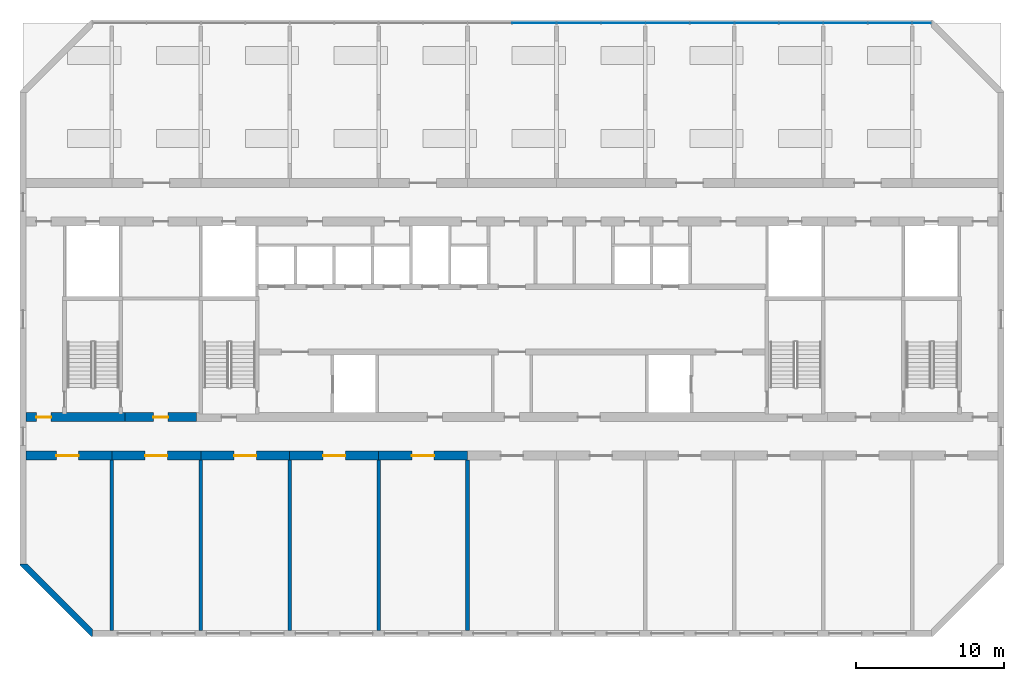
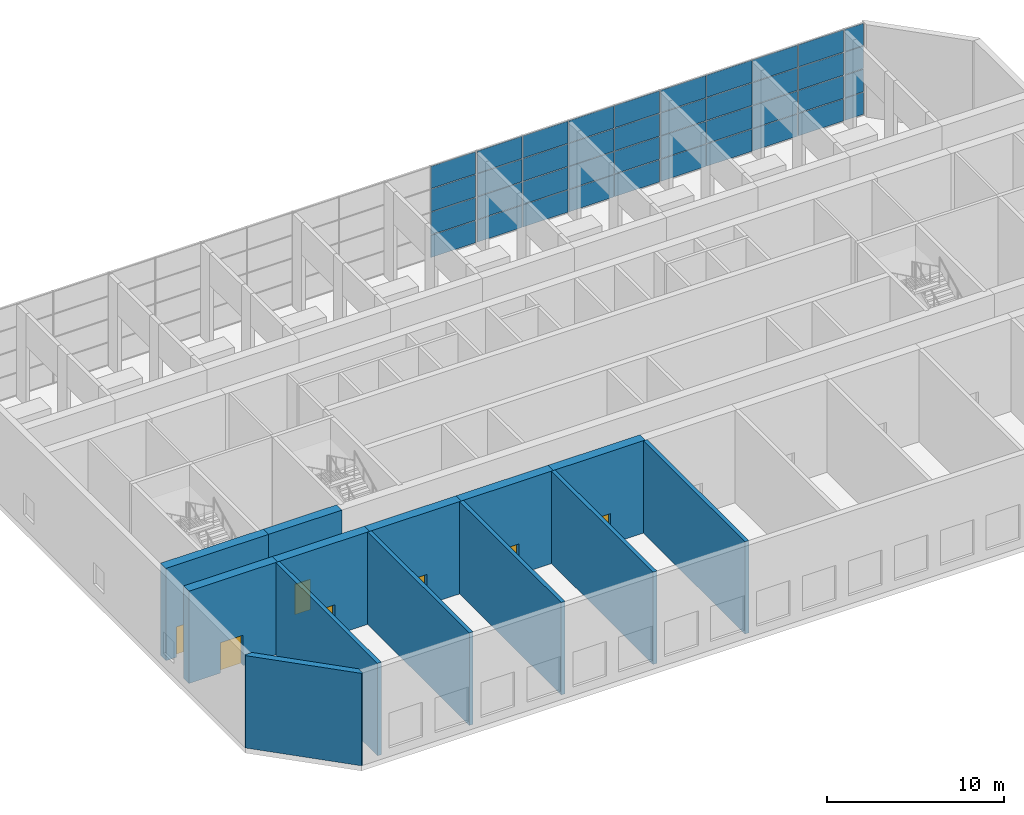
# One storey, part 5 of 13: 40 plates, 13 walls, 7 doors, 7 openings, 4 elements without a shape of their own.
"""IFC4 building model written with IfcOpenShell, lengths in metres."""

from ifc_helpers import new_model, si_unit, direction, frame, frame_2d, origin, origin_2d, place, context, subcontext, project, spatial, polyline, rectangle, outline, extrude, material, layer, layer_set, type_object, element, fill, aggregate, save


model = new_model("IFC4")

# Units and contexts
model_context = context("Model", 3, precision=1e-05, world=origin(), true_north=direction((0.0, 1.0)))
body_context = subcontext(model_context, "Body", "Model", "MODEL_VIEW")
ifc_project = project(units=[si_unit("LENGTHUNIT", "METRE"), si_unit("AREAUNIT", "SQUARE_METRE"), si_unit("VOLUMEUNIT", "CUBIC_METRE"), si_unit("PLANEANGLEUNIT", "RADIAN"), si_unit("MASSUNIT", "GRAM", prefix="KILO")], contexts=[model_context])

# Site, building, storey
site_placement = place(None, origin())
site = spatial("IfcSite", under=ifc_project, at=site_placement, CompositionType="ELEMENT")
building_placement = place(site_placement, origin())
building = spatial("IfcBuilding", under=site, at=building_placement, Name="Poui Terraces", CompositionType="ELEMENT")
storey_placement = place(building_placement, frame((0.0, 0.0, 214.800048828125)))
storey = spatial("IfcBuildingStorey", under=building, at=storey_placement, Name="L60", CompositionType="ELEMENT", Elevation=214.800048828125)

# Curtain wall, plates
ifc_material_1 = material(Name="Clear glass", Category="glass")
ifc_layer_1 = layer(ifc_material_1, 0.159912109375)
ifc_layer_set_1 = layer_set([ifc_layer_1], Name="Clear glass")
curtain_wall_type = type_object("IfcCurtainWallType", Name="CURTAIN WALL CW-D SKY GARDEN GLAZING", PredefinedType="NOTDEFINED", material=ifc_layer_set_1)
curtain_wall_1_placement = place(storey_placement, origin())
curtain_wall_1 = element("IfcCurtainWall", 1, at=curtain_wall_1_placement, inside=storey, type_object=curtain_wall_type, Name="CW-D SKY GARDEN GLAZING", PredefinedType="NOTDEFINED")
ifc_layer_2 = layer(ifc_material_1, 0.052001953125)
ifc_layer_set_2 = layer_set([ifc_layer_2], Name="Clear glass")
plate_type = type_object("IfcPlateType", Name="CW-D GLASS PANEL 52", PredefinedType="CURTAIN_PANEL", material=ifc_layer_set_2)
plate_1_placement = place(storey_placement, frame((52.487548828125, 41.199951171875, 0.050048828125), z_axis=(0.0, 0.0, 1.0), x_axis=(-1.0, 0.0, 0.0)))
plate_1 = element("IfcPlate", 2, at=plate_1_placement, type_object=plate_type, Name="CW-D panel 1.1", PredefinedType="CURTAIN_PANEL", context=body_context, shape_type="SweptSolid", body=[
    extrude(rectangle(XDim=2.925048828125, YDim=0.052001953125, at=origin_2d()), origin(), (0.0, 0.0, 1.0), 1.52001953125),
])
plate_2_placement = place(storey_placement, frame((52.487548828125, 41.199951171875, 1.619873046875), z_axis=(0.0, 0.0, 1.0), x_axis=(-1.0, 0.0, 0.0)))
plate_2 = element("IfcPlate", 3, at=plate_2_placement, type_object=plate_type, Name="CW-D panel 1.2", PredefinedType="CURTAIN_PANEL", context=body_context, shape_type="SweptSolid", body=[
    extrude(rectangle(XDim=2.925048828125, YDim=0.052001953125, at=origin_2d()), origin(), (0.0, 0.0, 1.0), 1.544921875),
])
plate_3_placement = place(storey_placement, frame((52.487548828125, 41.199951171875, 3.215087890625), z_axis=(0.0, 0.0, 1.0), x_axis=(-1.0, 0.0, 0.0)))
plate_3 = element("IfcPlate", 4, at=plate_3_placement, type_object=plate_type, Name="CW-D panel 1.3", PredefinedType="CURTAIN_PANEL", context=body_context, shape_type="SweptSolid", body=[
    extrude(rectangle(XDim=2.925048828125, YDim=0.052001953125, at=origin_2d()), origin(), (0.0, 0.0, 1.0), 1.544921875),
])
plate_4_placement = place(storey_placement, frame((52.487548828125, 41.199951171875, 4.81005859375), z_axis=(0.0, 0.0, 1.0), x_axis=(-1.0, 0.0, 0.0)))
plate_4 = element("IfcPlate", 5, at=plate_4_placement, type_object=plate_type, Name="CW-D panel 1.4", PredefinedType="CURTAIN_PANEL", context=body_context, shape_type="SweptSolid", body=[
    extrude(rectangle(XDim=2.925048828125, YDim=0.052001953125, at=origin_2d()), origin(), (0.0, 0.0, 1.0), 1.52001953125),
])
aggregate(curtain_wall_1, [plate_1, plate_2, plate_3, plate_4])

curtain_wall_2_placement = place(storey_placement, origin())
curtain_wall_2 = element("IfcCurtainWall", 6, at=curtain_wall_2_placement, inside=storey, type_object=curtain_wall_type, Name="CW-D SKY GARDEN GLAZING", PredefinedType="NOTDEFINED")
plate_5_placement = place(storey_placement, frame((64.487548828125, 41.199951171875, 0.050048828125), z_axis=(0.0, 0.0, 1.0), x_axis=(-1.0, 0.0, 0.0)))
plate_5 = element("IfcPlate", 7, at=plate_5_placement, type_object=plate_type, Name="CW-D panel 1.1", PredefinedType="CURTAIN_PANEL", context=body_context, shape_type="SweptSolid", body=[
    extrude(rectangle(XDim=2.925048828125, YDim=0.052001953125, at=origin_2d()), origin(), (0.0, 0.0, 1.0), 1.52001953125),
])
plate_6_placement = place(storey_placement, frame((64.487548828125, 41.199951171875, 1.619873046875), z_axis=(0.0, 0.0, 1.0), x_axis=(-1.0, 0.0, 0.0)))
plate_6 = element("IfcPlate", 8, at=plate_6_placement, type_object=plate_type, Name="CW-D panel 1.2", PredefinedType="CURTAIN_PANEL", context=body_context, shape_type="SweptSolid", body=[
    extrude(rectangle(XDim=2.925048828125, YDim=0.052001953125, at=origin_2d()), origin(), (0.0, 0.0, 1.0), 1.544921875),
])
plate_7_placement = place(storey_placement, frame((64.487548828125, 41.199951171875, 3.215087890625), z_axis=(0.0, 0.0, 1.0), x_axis=(-1.0, 0.0, 0.0)))
plate_7 = element("IfcPlate", 9, at=plate_7_placement, type_object=plate_type, Name="CW-D panel 1.3", PredefinedType="CURTAIN_PANEL", context=body_context, shape_type="SweptSolid", body=[
    extrude(rectangle(XDim=2.925048828125, YDim=0.052001953125, at=origin_2d()), origin(), (0.0, 0.0, 1.0), 1.544921875),
])
plate_8_placement = place(storey_placement, frame((64.487548828125, 41.199951171875, 4.81005859375), z_axis=(0.0, 0.0, 1.0), x_axis=(-1.0, 0.0, 0.0)))
plate_8 = element("IfcPlate", 10, at=plate_8_placement, type_object=plate_type, Name="CW-D panel 1.4", PredefinedType="CURTAIN_PANEL", context=body_context, shape_type="SweptSolid", body=[
    extrude(rectangle(XDim=2.925048828125, YDim=0.052001953125, at=origin_2d()), origin(), (0.0, 0.0, 1.0), 1.52001953125),
])
plate_9_placement = place(storey_placement, frame((61.5, 41.199951171875, 0.050048828125), z_axis=(0.0, 0.0, 1.0), x_axis=(-1.0, 0.0, 0.0)))
plate_9 = element("IfcPlate", 11, at=plate_9_placement, type_object=plate_type, Name="CW-D panel 2.1", PredefinedType="CURTAIN_PANEL", context=body_context, shape_type="SweptSolid", body=[
    extrude(rectangle(XDim=2.949951171875, YDim=0.052001953125, at=origin_2d()), origin(), (0.0, 0.0, 1.0), 1.52001953125),
])
plate_10_placement = place(storey_placement, frame((61.5, 41.199951171875, 1.619873046875), z_axis=(0.0, 0.0, 1.0), x_axis=(-1.0, 0.0, 0.0)))
plate_10 = element("IfcPlate", 12, at=plate_10_placement, type_object=plate_type, Name="CW-D panel 2.2", PredefinedType="CURTAIN_PANEL", context=body_context, shape_type="SweptSolid", body=[
    extrude(rectangle(XDim=2.949951171875, YDim=0.052001953125, at=origin_2d()), origin(), (0.0, 0.0, 1.0), 1.544921875),
])
plate_11_placement = place(storey_placement, frame((61.5, 41.199951171875, 3.215087890625), z_axis=(0.0, 0.0, 1.0), x_axis=(-1.0, 0.0, 0.0)))
plate_11 = element("IfcPlate", 13, at=plate_11_placement, type_object=plate_type, Name="CW-D panel 2.3", PredefinedType="CURTAIN_PANEL", context=body_context, shape_type="SweptSolid", body=[
    extrude(rectangle(XDim=2.949951171875, YDim=0.052001953125, at=origin_2d()), origin(), (0.0, 0.0, 1.0), 1.544921875),
])
plate_12_placement = place(storey_placement, frame((61.5, 41.199951171875, 4.81005859375), z_axis=(0.0, 0.0, 1.0), x_axis=(-1.0, 0.0, 0.0)))
plate_12 = element("IfcPlate", 14, at=plate_12_placement, type_object=plate_type, Name="CW-D panel 2.4", PredefinedType="CURTAIN_PANEL", context=body_context, shape_type="SweptSolid", body=[
    extrude(rectangle(XDim=2.949951171875, YDim=0.052001953125, at=origin_2d()), origin(), (0.0, 0.0, 1.0), 1.52001953125),
])
plate_13_placement = place(storey_placement, frame((58.5, 41.199951171875, 0.050048828125), z_axis=(0.0, 0.0, 1.0), x_axis=(-1.0, 0.0, 0.0)))
plate_13 = element("IfcPlate", 15, at=plate_13_placement, type_object=plate_type, Name="CW-D panel 3.1", PredefinedType="CURTAIN_PANEL", context=body_context, shape_type="SweptSolid", body=[
    extrude(rectangle(XDim=2.949951171875, YDim=0.052001953125, at=origin_2d()), origin(), (0.0, 0.0, 1.0), 1.52001953125),
])
plate_14_placement = place(storey_placement, frame((58.5, 41.199951171875, 1.619873046875), z_axis=(0.0, 0.0, 1.0), x_axis=(-1.0, 0.0, 0.0)))
plate_14 = element("IfcPlate", 16, at=plate_14_placement, type_object=plate_type, Name="CW-D panel 3.2", PredefinedType="CURTAIN_PANEL", context=body_context, shape_type="SweptSolid", body=[
    extrude(rectangle(XDim=2.949951171875, YDim=0.052001953125, at=origin_2d()), origin(), (0.0, 0.0, 1.0), 1.544921875),
])
plate_15_placement = place(storey_placement, frame((58.5, 41.199951171875, 3.215087890625), z_axis=(0.0, 0.0, 1.0), x_axis=(-1.0, 0.0, 0.0)))
plate_15 = element("IfcPlate", 17, at=plate_15_placement, type_object=plate_type, Name="CW-D panel 3.3", PredefinedType="CURTAIN_PANEL", context=body_context, shape_type="SweptSolid", body=[
    extrude(rectangle(XDim=2.949951171875, YDim=0.052001953125, at=origin_2d()), origin(), (0.0, 0.0, 1.0), 1.544921875),
])
plate_16_placement = place(storey_placement, frame((58.5, 41.199951171875, 4.81005859375), z_axis=(0.0, 0.0, 1.0), x_axis=(-1.0, 0.0, 0.0)))
plate_16 = element("IfcPlate", 18, at=plate_16_placement, type_object=plate_type, Name="CW-D panel 3.4", PredefinedType="CURTAIN_PANEL", context=body_context, shape_type="SweptSolid", body=[
    extrude(rectangle(XDim=2.949951171875, YDim=0.052001953125, at=origin_2d()), origin(), (0.0, 0.0, 1.0), 1.52001953125),
])
plate_17_placement = place(storey_placement, frame((55.512451171875, 41.199951171875, 0.050048828125), z_axis=(0.0, 0.0, 1.0), x_axis=(-1.0, 0.0, 0.0)))
plate_17 = element("IfcPlate", 19, at=plate_17_placement, type_object=plate_type, Name="CW-D panel 4.1", PredefinedType="CURTAIN_PANEL", context=body_context, shape_type="SweptSolid", body=[
    extrude(rectangle(XDim=2.925048828125, YDim=0.052001953125, at=origin_2d()), origin(), (0.0, 0.0, 1.0), 1.52001953125),
])
plate_18_placement = place(storey_placement, frame((55.512451171875, 41.199951171875, 1.619873046875), z_axis=(0.0, 0.0, 1.0), x_axis=(-1.0, 0.0, 0.0)))
plate_18 = element("IfcPlate", 20, at=plate_18_placement, type_object=plate_type, Name="CW-D panel 4.2", PredefinedType="CURTAIN_PANEL", context=body_context, shape_type="SweptSolid", body=[
    extrude(rectangle(XDim=2.925048828125, YDim=0.052001953125, at=origin_2d()), origin(), (0.0, 0.0, 1.0), 1.544921875),
])
plate_19_placement = place(storey_placement, frame((55.512451171875, 41.199951171875, 3.215087890625), z_axis=(0.0, 0.0, 1.0), x_axis=(-1.0, 0.0, 0.0)))
plate_19 = element("IfcPlate", 21, at=plate_19_placement, type_object=plate_type, Name="CW-D panel 4.3", PredefinedType="CURTAIN_PANEL", context=body_context, shape_type="SweptSolid", body=[
    extrude(rectangle(XDim=2.925048828125, YDim=0.052001953125, at=origin_2d()), origin(), (0.0, 0.0, 1.0), 1.544921875),
])
plate_20_placement = place(storey_placement, frame((55.512451171875, 41.199951171875, 4.81005859375), z_axis=(0.0, 0.0, 1.0), x_axis=(-1.0, 0.0, 0.0)))
plate_20 = element("IfcPlate", 22, at=plate_20_placement, type_object=plate_type, Name="CW-D panel 4.4", PredefinedType="CURTAIN_PANEL", context=body_context, shape_type="SweptSolid", body=[
    extrude(rectangle(XDim=2.925048828125, YDim=0.052001953125, at=origin_2d()), origin(), (0.0, 0.0, 1.0), 1.52001953125),
])
aggregate(curtain_wall_2, [plate_5, plate_6, plate_7, plate_8, plate_9, plate_10, plate_11, plate_12, plate_13, plate_14, plate_15, plate_16, plate_17, plate_18, plate_19, plate_20])

curtain_wall_3_placement = place(storey_placement, origin())
curtain_wall_3 = element("IfcCurtainWall", 23, at=curtain_wall_3_placement, inside=storey, type_object=curtain_wall_type, Name="CW-D SKY GARDEN GLAZING", PredefinedType="NOTDEFINED")
plate_21_placement = place(storey_placement, frame((76.487548828125, 41.199951171875, 0.050048828125), z_axis=(0.0, 0.0, 1.0), x_axis=(-1.0, 0.0, 0.0)))
plate_21 = element("IfcPlate", 24, at=plate_21_placement, type_object=plate_type, Name="CW-D panel 1.1", PredefinedType="CURTAIN_PANEL", context=body_context, shape_type="SweptSolid", body=[
    extrude(rectangle(XDim=2.925048828125, YDim=0.052001953125, at=origin_2d()), origin(), (0.0, 0.0, 1.0), 1.52001953125),
])
plate_22_placement = place(storey_placement, frame((76.487548828125, 41.199951171875, 1.619873046875), z_axis=(0.0, 0.0, 1.0), x_axis=(-1.0, 0.0, 0.0)))
plate_22 = element("IfcPlate", 25, at=plate_22_placement, type_object=plate_type, Name="CW-D panel 1.2", PredefinedType="CURTAIN_PANEL", context=body_context, shape_type="SweptSolid", body=[
    extrude(rectangle(XDim=2.925048828125, YDim=0.052001953125, at=origin_2d()), origin(), (0.0, 0.0, 1.0), 1.544921875),
])
plate_23_placement = place(storey_placement, frame((76.487548828125, 41.199951171875, 3.215087890625), z_axis=(0.0, 0.0, 1.0), x_axis=(-1.0, 0.0, 0.0)))
plate_23 = element("IfcPlate", 26, at=plate_23_placement, type_object=plate_type, Name="CW-D panel 1.3", PredefinedType="CURTAIN_PANEL", context=body_context, shape_type="SweptSolid", body=[
    extrude(rectangle(XDim=2.925048828125, YDim=0.052001953125, at=origin_2d()), origin(), (0.0, 0.0, 1.0), 1.544921875),
])
plate_24_placement = place(storey_placement, frame((76.487548828125, 41.199951171875, 4.81005859375), z_axis=(0.0, 0.0, 1.0), x_axis=(-1.0, 0.0, 0.0)))
plate_24 = element("IfcPlate", 27, at=plate_24_placement, type_object=plate_type, Name="CW-D panel 1.4", PredefinedType="CURTAIN_PANEL", context=body_context, shape_type="SweptSolid", body=[
    extrude(rectangle(XDim=2.925048828125, YDim=0.052001953125, at=origin_2d()), origin(), (0.0, 0.0, 1.0), 1.52001953125),
])
plate_25_placement = place(storey_placement, frame((73.5, 41.199951171875, 0.050048828125), z_axis=(0.0, 0.0, 1.0), x_axis=(-1.0, 0.0, 0.0)))
plate_25 = element("IfcPlate", 28, at=plate_25_placement, type_object=plate_type, Name="CW-D panel 2.1", PredefinedType="CURTAIN_PANEL", context=body_context, shape_type="SweptSolid", body=[
    extrude(rectangle(XDim=2.949951171875, YDim=0.052001953125, at=origin_2d()), origin(), (0.0, 0.0, 1.0), 1.52001953125),
])
plate_26_placement = place(storey_placement, frame((73.5, 41.199951171875, 1.619873046875), z_axis=(0.0, 0.0, 1.0), x_axis=(-1.0, 0.0, 0.0)))
plate_26 = element("IfcPlate", 29, at=plate_26_placement, type_object=plate_type, Name="CW-D panel 2.2", PredefinedType="CURTAIN_PANEL", context=body_context, shape_type="SweptSolid", body=[
    extrude(rectangle(XDim=2.949951171875, YDim=0.052001953125, at=origin_2d()), origin(), (0.0, 0.0, 1.0), 1.544921875),
])
plate_27_placement = place(storey_placement, frame((73.5, 41.199951171875, 3.215087890625), z_axis=(0.0, 0.0, 1.0), x_axis=(-1.0, 0.0, 0.0)))
plate_27 = element("IfcPlate", 30, at=plate_27_placement, type_object=plate_type, Name="CW-D panel 2.3", PredefinedType="CURTAIN_PANEL", context=body_context, shape_type="SweptSolid", body=[
    extrude(rectangle(XDim=2.949951171875, YDim=0.052001953125, at=origin_2d()), origin(), (0.0, 0.0, 1.0), 1.544921875),
])
plate_28_placement = place(storey_placement, frame((73.5, 41.199951171875, 4.81005859375), z_axis=(0.0, 0.0, 1.0), x_axis=(-1.0, 0.0, 0.0)))
plate_28 = element("IfcPlate", 31, at=plate_28_placement, type_object=plate_type, Name="CW-D panel 2.4", PredefinedType="CURTAIN_PANEL", context=body_context, shape_type="SweptSolid", body=[
    extrude(rectangle(XDim=2.949951171875, YDim=0.052001953125, at=origin_2d()), origin(), (0.0, 0.0, 1.0), 1.52001953125),
])
plate_29_placement = place(storey_placement, frame((70.5, 41.199951171875, 0.050048828125), z_axis=(0.0, 0.0, 1.0), x_axis=(-1.0, 0.0, 0.0)))
plate_29 = element("IfcPlate", 32, at=plate_29_placement, type_object=plate_type, Name="CW-D panel 3.1", PredefinedType="CURTAIN_PANEL", context=body_context, shape_type="SweptSolid", body=[
    extrude(rectangle(XDim=2.949951171875, YDim=0.052001953125, at=origin_2d()), origin(), (0.0, 0.0, 1.0), 1.52001953125),
])
plate_30_placement = place(storey_placement, frame((70.5, 41.199951171875, 1.619873046875), z_axis=(0.0, 0.0, 1.0), x_axis=(-1.0, 0.0, 0.0)))
plate_30 = element("IfcPlate", 33, at=plate_30_placement, type_object=plate_type, Name="CW-D panel 3.2", PredefinedType="CURTAIN_PANEL", context=body_context, shape_type="SweptSolid", body=[
    extrude(rectangle(XDim=2.949951171875, YDim=0.052001953125, at=origin_2d()), origin(), (0.0, 0.0, 1.0), 1.544921875),
])
plate_31_placement = place(storey_placement, frame((70.5, 41.199951171875, 3.215087890625), z_axis=(0.0, 0.0, 1.0), x_axis=(-1.0, 0.0, 0.0)))
plate_31 = element("IfcPlate", 34, at=plate_31_placement, type_object=plate_type, Name="CW-D panel 3.3", PredefinedType="CURTAIN_PANEL", context=body_context, shape_type="SweptSolid", body=[
    extrude(rectangle(XDim=2.949951171875, YDim=0.052001953125, at=origin_2d()), origin(), (0.0, 0.0, 1.0), 1.544921875),
])
plate_32_placement = place(storey_placement, frame((70.5, 41.199951171875, 4.81005859375), z_axis=(0.0, 0.0, 1.0), x_axis=(-1.0, 0.0, 0.0)))
plate_32 = element("IfcPlate", 35, at=plate_32_placement, type_object=plate_type, Name="CW-D panel 3.4", PredefinedType="CURTAIN_PANEL", context=body_context, shape_type="SweptSolid", body=[
    extrude(rectangle(XDim=2.949951171875, YDim=0.052001953125, at=origin_2d()), origin(), (0.0, 0.0, 1.0), 1.52001953125),
])
plate_33_placement = place(storey_placement, frame((67.512451171875, 41.199951171875, 0.050048828125), z_axis=(0.0, 0.0, 1.0), x_axis=(-1.0, 0.0, 0.0)))
plate_33 = element("IfcPlate", 36, at=plate_33_placement, type_object=plate_type, Name="CW-D panel 4.1", PredefinedType="CURTAIN_PANEL", context=body_context, shape_type="SweptSolid", body=[
    extrude(rectangle(XDim=2.925048828125, YDim=0.052001953125, at=origin_2d()), origin(), (0.0, 0.0, 1.0), 1.52001953125),
])
plate_34_placement = place(storey_placement, frame((67.512451171875, 41.199951171875, 1.619873046875), z_axis=(0.0, 0.0, 1.0), x_axis=(-1.0, 0.0, 0.0)))
plate_34 = element("IfcPlate", 37, at=plate_34_placement, type_object=plate_type, Name="CW-D panel 4.2", PredefinedType="CURTAIN_PANEL", context=body_context, shape_type="SweptSolid", body=[
    extrude(rectangle(XDim=2.925048828125, YDim=0.052001953125, at=origin_2d()), origin(), (0.0, 0.0, 1.0), 1.544921875),
])
plate_35_placement = place(storey_placement, frame((67.512451171875, 41.199951171875, 3.215087890625), z_axis=(0.0, 0.0, 1.0), x_axis=(-1.0, 0.0, 0.0)))
plate_35 = element("IfcPlate", 38, at=plate_35_placement, type_object=plate_type, Name="CW-D panel 4.3", PredefinedType="CURTAIN_PANEL", context=body_context, shape_type="SweptSolid", body=[
    extrude(rectangle(XDim=2.925048828125, YDim=0.052001953125, at=origin_2d()), origin(), (0.0, 0.0, 1.0), 1.544921875),
])
plate_36_placement = place(storey_placement, frame((67.512451171875, 41.199951171875, 4.81005859375), z_axis=(0.0, 0.0, 1.0), x_axis=(-1.0, 0.0, 0.0)))
plate_36 = element("IfcPlate", 39, at=plate_36_placement, type_object=plate_type, Name="CW-D panel 4.4", PredefinedType="CURTAIN_PANEL", context=body_context, shape_type="SweptSolid", body=[
    extrude(rectangle(XDim=2.925048828125, YDim=0.052001953125, at=origin_2d()), origin(), (0.0, 0.0, 1.0), 1.52001953125),
])
aggregate(curtain_wall_3, [plate_21, plate_22, plate_23, plate_24, plate_25, plate_26, plate_27, plate_28, plate_29, plate_30, plate_31, plate_32, plate_33, plate_34, plate_35, plate_36])

curtain_wall_4_placement = place(storey_placement, origin())
curtain_wall_4 = element("IfcCurtainWall", 40, at=curtain_wall_4_placement, inside=storey, type_object=curtain_wall_type, Name="CW-D SKY GARDEN GLAZING", PredefinedType="NOTDEFINED")
plate_37_placement = place(storey_placement, frame((78.65869140625, 41.199951171875, 0.050048828125), z_axis=(0.0, 0.0, 1.0), x_axis=(-1.0, 0.0, 0.0)))
plate_37 = element("IfcPlate", 41, at=plate_37_placement, type_object=plate_type, Name="CW-D panel 1.1", PredefinedType="CURTAIN_PANEL", context=body_context, shape_type="SweptSolid", body=[
    extrude(rectangle(XDim=1.21728515625, YDim=0.052001953125, at=origin_2d()), origin(), (0.0, 0.0, 1.0), 1.52001953125),
])
plate_38_placement = place(storey_placement, frame((78.65869140625, 41.199951171875, 1.619873046875), z_axis=(0.0, 0.0, 1.0), x_axis=(-1.0, 0.0, 0.0)))
plate_38 = element("IfcPlate", 42, at=plate_38_placement, type_object=plate_type, Name="CW-D panel 1.2", PredefinedType="CURTAIN_PANEL", context=body_context, shape_type="SweptSolid", body=[
    extrude(rectangle(XDim=1.21728515625, YDim=0.052001953125, at=origin_2d()), origin(), (0.0, 0.0, 1.0), 1.544921875),
])
plate_39_placement = place(storey_placement, frame((78.65869140625, 41.199951171875, 3.215087890625), z_axis=(0.0, 0.0, 1.0), x_axis=(-1.0, 0.0, 0.0)))
plate_39 = element("IfcPlate", 43, at=plate_39_placement, type_object=plate_type, Name="CW-D panel 1.3", PredefinedType="CURTAIN_PANEL", context=body_context, shape_type="SweptSolid", body=[
    extrude(rectangle(XDim=1.21728515625, YDim=0.052001953125, at=origin_2d()), origin(), (0.0, 0.0, 1.0), 1.544921875),
])
plate_40_placement = place(storey_placement, frame((78.65869140625, 41.199951171875, 4.81005859375), z_axis=(0.0, 0.0, 1.0), x_axis=(-1.0, 0.0, 0.0)))
plate_40 = element("IfcPlate", 44, at=plate_40_placement, type_object=plate_type, Name="CW-D panel 1.4", PredefinedType="CURTAIN_PANEL", context=body_context, shape_type="SweptSolid", body=[
    extrude(rectangle(XDim=1.21728515625, YDim=0.052001953125, at=origin_2d()), origin(), (0.0, 0.0, 1.0), 1.52001953125),
])
aggregate(curtain_wall_4, [plate_37, plate_38, plate_39, plate_40])

# Wall, opening, door
ifc_material_2 = material(Name="Concrete 50 MPa", Category="concrete")
ifc_layer_3 = layer(ifc_material_2, 0.60009765625)
ifc_layer_set_3 = layer_set([ifc_layer_3], Name="Concrete 50 MPa")
wall_type_1 = type_object("IfcWallType", Name="BELT WALL 600 50MPa", PredefinedType="SHEAR", material=ifc_layer_set_3)
wall_1_placement = place(storey_placement, frame((18.199951171875, 12.0, 0.0), z_axis=(0.0, 0.0, 1.0), x_axis=(1.0, 0.0, 0.0)))
wall_1 = element("IfcWall", 45, at=wall_1_placement, inside=storey, type_object=wall_type_1, Name="BELT WALL LINE B BAY 1", PredefinedType="SHEAR", context=body_context, shape_type="SweptSolid", body=[
    extrude(rectangle(XDim=5.800048828125, YDim=0.60009765625, at=frame_2d((2.89990234375, 0.0))), origin(), (0.0, 0.0, 1.0), 6.3798828125),
])
opening_1_placement = place(wall_1_placement, frame((2.050048828125, 0.0, 0.0)))
opening_1 = element("IfcOpeningElement", 46, at=opening_1_placement, cuts=wall_1, Name="Opening FDP", PredefinedType="OPENING", context=body_context, shape_type="SweptSolid", body=[
    extrude(rectangle(XDim=1.5, YDim=2.10009765625, at=frame_2d((0.75, 1.050048828125))), frame((0.0, 0.31005859375, 0.0), z_axis=(0.0, -1.0, 0.0), x_axis=(1.0, 0.0, 0.0)), (0.0, 0.0, 1.0), 0.6201171875),
])
ifc_material_3 = material(Name="Steel fire door", Category="steel")
door_type_1 = type_object("IfcDoorType", Name="PLANT ROOM DOOR PAIR 1500 X 2100", OperationType="DOUBLE_DOOR_SINGLE_SWING", PredefinedType="DOOR", material=ifc_material_3)
door_1_placement = place(opening_1_placement, origin())
door_1 = element("IfcDoor", 47, at=door_1_placement, inside=storey, type_object=door_type_1, Name="PLANT ROOM DOOR PAIR 023", OperationType="DOUBLE_DOOR_SINGLE_SWING", OverallHeight=2.10009765625, OverallWidth=1.5, PredefinedType="DOOR", context=body_context, shape_type="SweptSolid", body=[
    extrude(rectangle(XDim=1.5, YDim=2.10009765625, at=frame_2d((0.75, 1.050048828125))), frame((0.0, 0.02490234375, 0.0), z_axis=(0.0, -1.0, 0.0), x_axis=(1.0, 0.0, 0.0)), (0.0, 0.0, 1.0), 0.050048828125),
])
fill(opening_1, door_1)

wall_2_placement = place(storey_placement, frame((24.0, 12.0, 0.0), z_axis=(0.0, 0.0, 1.0), x_axis=(1.0, 0.0, 0.0)))
wall_2 = element("IfcWall", 48, at=wall_2_placement, inside=storey, type_object=wall_type_1, Name="BELT WALL LINE B BAY 2", PredefinedType="SHEAR", context=body_context, shape_type="SweptSolid", body=[
    extrude(rectangle(XDim=6.0, YDim=0.60009765625, at=frame_2d((3.0, 0.0))), origin(), (0.0, 0.0, 1.0), 6.3798828125),
])
opening_2_placement = place(wall_2_placement, frame((2.25, 0.0, 0.0)))
opening_2 = element("IfcOpeningElement", 49, at=opening_2_placement, cuts=wall_2, Name="Opening FDP", PredefinedType="OPENING", context=body_context, shape_type="SweptSolid", body=[
    extrude(rectangle(XDim=1.5, YDim=2.10009765625, at=frame_2d((0.75, 1.050048828125))), frame((0.0, 0.31005859375, 0.0), z_axis=(0.0, -1.0, 0.0), x_axis=(1.0, 0.0, 0.0)), (0.0, 0.0, 1.0), 0.6201171875),
])
door_2_placement = place(opening_2_placement, origin())
door_2 = element("IfcDoor", 50, at=door_2_placement, inside=storey, type_object=door_type_1, Name="PLANT ROOM DOOR PAIR 024", OperationType="DOUBLE_DOOR_SINGLE_SWING", OverallHeight=2.10009765625, OverallWidth=1.5, PredefinedType="DOOR", context=body_context, shape_type="SweptSolid", body=[
    extrude(rectangle(XDim=1.5, YDim=2.10009765625, at=frame_2d((0.75, 1.050048828125))), frame((0.0, 0.02490234375, 0.0), z_axis=(0.0, -1.0, 0.0), x_axis=(1.0, 0.0, 0.0)), (0.0, 0.0, 1.0), 0.050048828125),
])
fill(opening_2, door_2)

wall_3_placement = place(storey_placement, frame((30.0, 12.0, 0.0), z_axis=(0.0, 0.0, 1.0), x_axis=(1.0, 0.0, 0.0)))
wall_3 = element("IfcWall", 51, at=wall_3_placement, inside=storey, type_object=wall_type_1, Name="BELT WALL LINE B BAY 3", PredefinedType="SHEAR", context=body_context, shape_type="SweptSolid", body=[
    extrude(rectangle(XDim=6.0, YDim=0.60009765625, at=frame_2d((3.0, 0.0))), origin(), (0.0, 0.0, 1.0), 6.3798828125),
])
opening_3_placement = place(wall_3_placement, frame((2.25, 0.0, 0.0)))
opening_3 = element("IfcOpeningElement", 52, at=opening_3_placement, cuts=wall_3, Name="Opening FDP", PredefinedType="OPENING", context=body_context, shape_type="SweptSolid", body=[
    extrude(rectangle(XDim=1.5, YDim=2.10009765625, at=frame_2d((0.75, 1.050048828125))), frame((0.0, 0.31005859375, 0.0), z_axis=(0.0, -1.0, 0.0), x_axis=(1.0, 0.0, 0.0)), (0.0, 0.0, 1.0), 0.6201171875),
])
door_3_placement = place(opening_3_placement, origin())
door_3 = element("IfcDoor", 53, at=door_3_placement, inside=storey, type_object=door_type_1, Name="PLANT ROOM DOOR PAIR 027", OperationType="DOUBLE_DOOR_SINGLE_SWING", OverallHeight=2.10009765625, OverallWidth=1.5, PredefinedType="DOOR", context=body_context, shape_type="SweptSolid", body=[
    extrude(rectangle(XDim=1.5, YDim=2.10009765625, at=frame_2d((0.75, 1.050048828125))), frame((0.0, 0.02490234375, 0.0), z_axis=(0.0, -1.0, 0.0), x_axis=(1.0, 0.0, 0.0)), (0.0, 0.0, 1.0), 0.050048828125),
])
fill(opening_3, door_3)

wall_4_placement = place(storey_placement, frame((36.0, 12.0, 0.0), z_axis=(0.0, 0.0, 1.0), x_axis=(1.0, 0.0, 0.0)))
wall_4 = element("IfcWall", 54, at=wall_4_placement, inside=storey, type_object=wall_type_1, Name="BELT WALL LINE B BAY 4", PredefinedType="SHEAR", context=body_context, shape_type="SweptSolid", body=[
    extrude(rectangle(XDim=6.0, YDim=0.60009765625, at=frame_2d((3.0, 0.0))), origin(), (0.0, 0.0, 1.0), 6.3798828125),
])
opening_4_placement = place(wall_4_placement, frame((2.25, 0.0, 0.0)))
opening_4 = element("IfcOpeningElement", 55, at=opening_4_placement, cuts=wall_4, Name="Opening FDP", PredefinedType="OPENING", context=body_context, shape_type="SweptSolid", body=[
    extrude(rectangle(XDim=1.5, YDim=2.10009765625, at=frame_2d((0.75, 1.050048828125))), frame((0.0, 0.31005859375, 0.0), z_axis=(0.0, -1.0, 0.0), x_axis=(1.0, 0.0, 0.0)), (0.0, 0.0, 1.0), 0.6201171875),
])
door_4_placement = place(opening_4_placement, origin())
door_4 = element("IfcDoor", 56, at=door_4_placement, inside=storey, type_object=door_type_1, Name="PLANT ROOM DOOR PAIR 028", OperationType="DOUBLE_DOOR_SINGLE_SWING", OverallHeight=2.10009765625, OverallWidth=1.5, PredefinedType="DOOR", context=body_context, shape_type="SweptSolid", body=[
    extrude(rectangle(XDim=1.5, YDim=2.10009765625, at=frame_2d((0.75, 1.050048828125))), frame((0.0, 0.02490234375, 0.0), z_axis=(0.0, -1.0, 0.0), x_axis=(1.0, 0.0, 0.0)), (0.0, 0.0, 1.0), 0.050048828125),
])
fill(opening_4, door_4)

wall_5_placement = place(storey_placement, frame((42.0, 12.0, 0.0), z_axis=(0.0, 0.0, 1.0), x_axis=(1.0, 0.0, 0.0)))
wall_5 = element("IfcWall", 57, at=wall_5_placement, inside=storey, type_object=wall_type_1, Name="BELT WALL LINE B BAY 5", PredefinedType="SHEAR", context=body_context, shape_type="SweptSolid", body=[
    extrude(rectangle(XDim=6.0, YDim=0.60009765625, at=frame_2d((3.0, 0.0))), origin(), (0.0, 0.0, 1.0), 6.3798828125),
])
opening_5_placement = place(wall_5_placement, frame((2.25, 0.0, 0.0)))
opening_5 = element("IfcOpeningElement", 58, at=opening_5_placement, cuts=wall_5, Name="Opening FDP", PredefinedType="OPENING", context=body_context, shape_type="SweptSolid", body=[
    extrude(rectangle(XDim=1.5, YDim=2.10009765625, at=frame_2d((0.75, 1.050048828125))), frame((0.0, 0.31005859375, 0.0), z_axis=(0.0, -1.0, 0.0), x_axis=(1.0, 0.0, 0.0)), (0.0, 0.0, 1.0), 0.6201171875),
])
door_5_placement = place(opening_5_placement, origin())
door_5 = element("IfcDoor", 59, at=door_5_placement, inside=storey, type_object=door_type_1, Name="PLANT ROOM DOOR PAIR 029", OperationType="DOUBLE_DOOR_SINGLE_SWING", OverallHeight=2.10009765625, OverallWidth=1.5, PredefinedType="DOOR", context=body_context, shape_type="SweptSolid", body=[
    extrude(rectangle(XDim=1.5, YDim=2.10009765625, at=frame_2d((0.75, 1.050048828125))), frame((0.0, 0.02490234375, 0.0), z_axis=(0.0, -1.0, 0.0), x_axis=(1.0, 0.0, 0.0)), (0.0, 0.0, 1.0), 0.050048828125),
])
fill(opening_5, door_5)

# Walls
ifc_layer_4 = layer(ifc_material_2, 0.25)
ifc_layer_set_4 = layer_set([ifc_layer_4], Name="Concrete 50 MPa")
wall_type_2 = type_object("IfcWallType", Name="CROSS WALL 250 50MPa", PredefinedType="SHEAR", material=ifc_layer_set_4)
for number, where, z_axis, x_axis, name in (
    (60, (24.0, 0.199951171875, 0.0), (0.0, 0.0, 1.0), (0.0, 1.0, 0.0), "CROSS WALL LINE 5 SOUTH"),
    (61, (30.0, 0.199951171875, 0.0), (0.0, 0.0, 1.0), (0.0, 1.0, 0.0), "CROSS WALL LINE 6 SOUTH"),
    (62, (36.0, 0.199951171875, 0.0), (0.0, 0.0, 1.0), (0.0, 1.0, 0.0), "CROSS WALL LINE 7 SOUTH"),
    (63, (42.0, 0.199951171875, 0.0), (0.0, 0.0, 1.0), (0.0, 1.0, 0.0), "CROSS WALL LINE 8 SOUTH"),
    (64, (48.0, 0.199951171875, 0.0), (0.0, 0.0, 1.0), (0.0, 1.0, 0.0), "CROSS WALL LINE 9 SOUTH"),
):
    element("IfcWall", number, at=place(storey_placement, frame(where, z_axis=z_axis, x_axis=x_axis)), inside=storey, type_object=wall_type_2, Name=name, PredefinedType="SHEAR", context=body_context, shape_type="SweptSolid", body=[
        extrude(rectangle(XDim=11.5, YDim=0.25, at=frame_2d((5.75, 0.0))), origin(), (0.0, 0.0, 1.0), 6.3798828125),
    ])

# Wall, opening, door
ifc_layer_5 = layer(ifc_material_2, 0.60009765625)
ifc_layer_set_5 = layer_set([ifc_layer_5], Name="Concrete 50 MPa")
wall_type_3 = type_object("IfcWallType", Name="OUTRIGGER WALL 600 50MPa", PredefinedType="SHEAR", material=ifc_layer_set_5)
wall_6_placement = place(storey_placement, frame((24.89990234375, 14.60009765625, 0.0), z_axis=(0.0, 0.0, 1.0), x_axis=(1.0, 0.0, 0.0)))
wall_6 = element("IfcWall", 65, at=wall_6_placement, inside=storey, type_object=wall_type_3, Name="OUTRIGGER WALL LINE C W2", PredefinedType="SHEAR", context=body_context, shape_type="SweptSolid", body=[
    extrude(rectangle(XDim=4.800048828125, YDim=0.60009765625, at=frame_2d((2.39990234375, 0.0))), origin(), (0.0, 0.0, 1.0), 6.3798828125),
])
opening_6_placement = place(wall_6_placement, frame((1.89990234375, 0.0, 0.0)))
opening_6 = element("IfcOpeningElement", 66, at=opening_6_placement, cuts=wall_6, Name="Opening FDRF", PredefinedType="OPENING", context=body_context, shape_type="SweptSolid", body=[
    extrude(rectangle(XDim=1.0, YDim=2.10009765625, at=frame_2d((0.5, 1.050048828125))), frame((0.0, 0.31005859375, 0.0), z_axis=(0.0, -1.0, 0.0), x_axis=(1.0, 0.0, 0.0)), (0.0, 0.0, 1.0), 0.6201171875),
])
door_type_2 = type_object("IfcDoorType", Name="REFUGE AREA DOOR 1000 X 2100", OperationType="NOTDEFINED", PredefinedType="DOOR", material=ifc_material_3)
door_6_placement = place(opening_6_placement, frame((1.0, 0.0, 0.0), z_axis=(0.0, 0.0, 1.0), x_axis=(-1.0, 0.0, 0.0)))
door_6 = element("IfcDoor", 67, at=door_6_placement, inside=storey, type_object=door_type_2, Name="REFUGE AREA DOOR 025", OperationType="SINGLE_SWING_RIGHT", OverallHeight=2.10009765625, OverallWidth=1.0, PredefinedType="DOOR", context=body_context, shape_type="SweptSolid", body=[
    extrude(rectangle(XDim=1.0, YDim=2.10009765625, at=frame_2d((0.5, 1.050048828125))), frame((0.0, 0.02490234375, 0.0), z_axis=(0.0, -1.0, 0.0), x_axis=(1.0, 0.0, 0.0)), (0.0, 0.0, 1.0), 0.050048828125),
])
fill(opening_6, door_6)

ifc_layer_6 = layer(ifc_material_2, 0.60009765625)
ifc_layer_set_6 = layer_set([ifc_layer_6], Name="Concrete 50 MPa")
wall_type_4 = type_object("IfcWallType", Name="SPINE WALL 600 50 MPA", PredefinedType="SOLIDWALL", material=ifc_layer_set_6)
wall_7_placement = place(storey_placement, frame((18.199951171875, 14.60009765625, 0.0), z_axis=(0.0, 0.0, 1.0), x_axis=(1.0, 0.0, 0.0)))
wall_7 = element("IfcWall", 68, at=wall_7_placement, inside=storey, type_object=wall_type_4, Name="SPINE WALL", PredefinedType="SOLIDWALL", context=body_context, shape_type="SweptSolid", body=[
    extrude(rectangle(XDim=6.699951171875, YDim=0.60009765625, at=frame_2d((3.35009765625, 0.0))), origin(), (0.0, 0.0, 1.0), 6.3798828125),
])
opening_7_placement = place(wall_7_placement, frame((0.699951171875, 0.0, 0.0)))
opening_7 = element("IfcOpeningElement", 69, at=opening_7_placement, cuts=wall_7, Name="Opening FDL", PredefinedType="OPENING", context=body_context, shape_type="SweptSolid", body=[
    extrude(rectangle(XDim=1.0, YDim=2.10009765625, at=frame_2d((0.5, 1.050048828125))), frame((0.0, 0.31005859375, 0.0), z_axis=(0.0, -1.0, 0.0), x_axis=(1.0, 0.0, 0.0)), (0.0, 0.0, 1.0), 0.6201171875),
])
door_type_3 = type_object("IfcDoorType", Name="LOBBY FIRE DOOR 1000 X 2100", OperationType="NOTDEFINED", PredefinedType="DOOR", material=ifc_material_3)
door_7_placement = place(opening_7_placement, frame((1.0, 0.0, 0.0), z_axis=(0.0, 0.0, 1.0), x_axis=(-1.0, 0.0, 0.0)))
door_7 = element("IfcDoor", 70, at=door_7_placement, inside=storey, type_object=door_type_3, Name="LOBBY FIRE DOOR 022", OperationType="SINGLE_SWING_RIGHT", OverallHeight=2.10009765625, OverallWidth=1.0, PredefinedType="DOOR", context=body_context, shape_type="SweptSolid", body=[
    extrude(rectangle(XDim=1.0, YDim=2.10009765625, at=frame_2d((0.5, 1.050048828125))), frame((0.0, 0.02490234375, 0.0), z_axis=(0.0, -1.0, 0.0), x_axis=(1.0, 0.0, 0.0)), (0.0, 0.0, 1.0), 0.050048828125),
])
fill(opening_7, door_7)

# Wall
ifc_material_4 = material(Name="Precast concrete 40 MPa", Category="concrete")
ifc_layer_7 = layer(ifc_material_4, 0.39990234375)
ifc_layer_set_7 = layer_set([ifc_layer_7], Name="Precast concrete 40 MPa")
wall_type_5 = type_object("IfcWallType", Name="TERRACOTTA CLAD CHAMFER WALL 400", PredefinedType="STANDARD", material=ifc_layer_set_7)
wall_8_placement = place(storey_placement, origin())
element("IfcWall", 71, at=wall_8_placement, inside=storey, type_object=wall_type_5, Name="CHAMFER WALL CH07", PredefinedType="STANDARD", context=body_context, shape_type="SweptSolid", body=[
    extrude(outline(polyline([(17.800048828125, 4.682861328125), (17.800048828125, 4.60009765625), (22.60009765625, -0.199951171875), (22.682861328125, -0.199951171875), (22.682861328125, 0.28271484375), (18.28271484375, 4.682861328125), (17.800048828125, 4.682861328125)])), origin(), (0.0, 0.0, 1.0), 6.3798828125),
])

save(model, "model.ifc")
